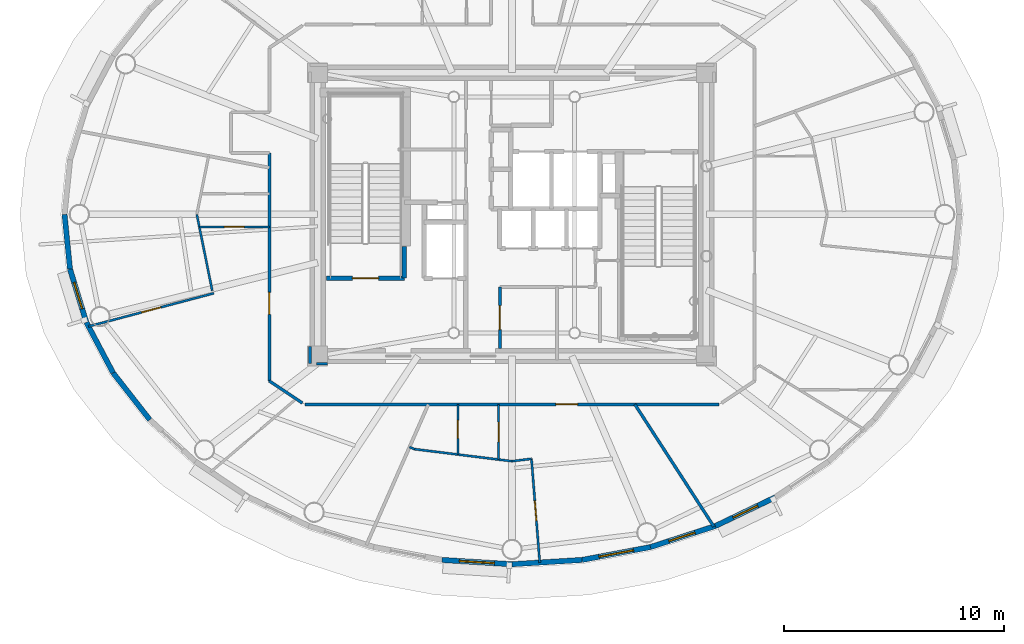
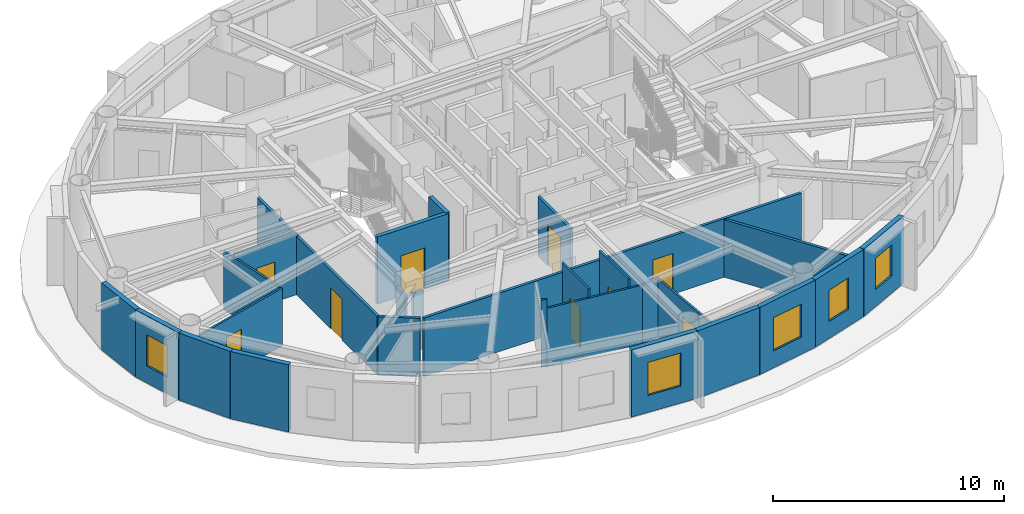
# One storey, part 7 of 17: 27 walls, 9 doors, 5 windows, 14 openings.
"""IFC4 building model written with IfcOpenShell, lengths in metres."""

import ifcopenshell
import ifcopenshell.guid

model = None  # the IFC model being written
_history = None  # IfcOwnerHistory: only IFC2X3 demands one
_inside = {}  # id of a spatial element -> (the spatial element, [elements in it])
_under = {}  # id of a project, library or spatial element -> (it, [spatial elements below it])
_declared = {}  # id of a project -> (the project, [libraries it declares])
_typed = {}  # id of a type object -> (the type object, [elements of that type])
_made_of = {}  # id of a material, layer set ... -> (it, [elements and type objects made of it])


def new_model(schema):
    """Start an empty IFC model of exactly this schema.

    Asked for "IFC4X3", IfcOpenShell would pick the latest addendum, in which some entities
    have other attributes; the version numbers below select the first issue.
    IFC2X3 requires an IfcOwnerHistory on every rooted entity: one is made here for all.
    """
    global model, _history
    if schema == "IFC4X3":
        model = ifcopenshell.file(schema_version=(4, 3, 0, 0))
    else:
        model = ifcopenshell.file(schema=schema)
    _inside.clear()
    _under.clear()
    _declared.clear()
    _typed.clear()
    _made_of.clear()
    _history = None
    if model.schema == "IFC2X3":
        org = make("IfcOrganization", Name="unknown")
        user = make(
            "IfcPersonAndOrganization",
            ThePerson=make("IfcPerson", FamilyName="unknown"),
            TheOrganization=org,
        )
        app = make(
            "IfcApplication",
            ApplicationDeveloper=org,
            Version="unknown",
            ApplicationFullName="unknown",
            ApplicationIdentifier="unknown",
        )
        _history = make(
            "IfcOwnerHistory",
            OwningUser=user,
            OwningApplication=app,
            ChangeAction="ADDED",
            CreationDate=0,
        )
    return model


def make(cls, **values):
    """One entity of the class cls with the attributes given. An attribute that is None is left unset."""
    return model.create_entity(
        cls, **{name: value for name, value in values.items() if value is not None}
    )


def rooted(cls, **values):
    """An entity with a GlobalId (a new one), such as an element, a storey or a relation."""
    return make(cls, GlobalId=ifcopenshell.guid.new(), OwnerHistory=_history, **values)


def si_unit(unit_type, name, prefix=None):
    """IfcSIUnit, for example si_unit("LENGTHUNIT", "METRE", prefix="MILLI")."""
    return make("IfcSIUnit", UnitType=unit_type, Prefix=prefix, Name=name)


def assignment(units):
    """IfcUnitAssignment: the units of a project."""
    return None if units is None else make("IfcUnitAssignment", Units=units)


def point(xyz):
    """IfcCartesianPoint."""
    return None if xyz is None else make("IfcCartesianPoint", Coordinates=xyz)


def direction(xyz):
    """IfcDirection."""
    return None if xyz is None else make("IfcDirection", DirectionRatios=xyz)


def frame(location, z_axis=None, x_axis=None):
    """IfcAxis2Placement3D, a coordinate frame: its origin and axes. An axis left out is left unset."""
    return make(
        "IfcAxis2Placement3D",
        Location=point(location),
        Axis=direction(z_axis),
        RefDirection=direction(x_axis),
    )


def frame_2d(location, x_axis=None):
    """IfcAxis2Placement2D, a coordinate frame in the plane: its origin and x axis."""
    return make(
        "IfcAxis2Placement2D", Location=point(location), RefDirection=direction(x_axis)
    )


def origin():
    """The frame at (0, 0, 0) with its axes left unset."""
    return frame((0.0, 0.0, 0.0))


def origin_2d():
    """The frame at (0, 0) in the plane with its x axis left unset."""
    return frame_2d((0.0, 0.0))


def place(relative_to, where):
    """IfcLocalPlacement: puts the frame where relative to a parent placement (None: the world)."""
    return make(
        "IfcLocalPlacement", PlacementRelTo=relative_to, RelativePlacement=where
    )


def context(
    kind, dimensions, precision=None, world=None, true_north=None, identifier=None
):
    """IfcGeometricRepresentationContext, for example the 3D "Model" context."""
    return make(
        "IfcGeometricRepresentationContext",
        ContextIdentifier=identifier,
        ContextType=kind,
        CoordinateSpaceDimension=dimensions,
        Precision=precision,
        WorldCoordinateSystem=world,
        TrueNorth=true_north,
    )


def subcontext(parent, identifier, kind, view, scale=None):
    """IfcGeometricRepresentationSubContext, for example "Body" below "Model"."""
    return make(
        "IfcGeometricRepresentationSubContext",
        ContextIdentifier=identifier,
        ContextType=kind,
        ParentContext=parent,
        TargetScale=scale,
        TargetView=view,
    )


def project(units=None, contexts=None):
    """IfcProject with its units and contexts."""
    return rooted(
        "IfcProject",
        Name="project",
        RepresentationContexts=contexts,
        UnitsInContext=assignment(units),
    )


def spatial(cls, under=None, at=None, **own):
    """A site, building, storey or space (cls), placed at a placement, below another one or the project."""
    s = rooted(cls, ObjectPlacement=at, **own)
    if under is not None:
        _under.setdefault(under.id(), (under, []))[1].append(s)
    return s


def profile(cls, at=None, kind="AREA", **sizes):
    """A parametric profile (cls). Its sizes go by their IFC names, for example OverallWidth=200.0."""
    return make(cls, ProfileType=kind, Position=at, **sizes)


def rectangle(**sizes):
    """IfcRectangleProfileDef."""
    return profile("IfcRectangleProfileDef", **sizes)


def extrude(swept, where, along, depth):
    """IfcExtrudedAreaSolid: the profile swept, set in the frame where, extruded along a direction by depth."""
    return make(
        "IfcExtrudedAreaSolid",
        SweptArea=swept,
        Position=where,
        ExtrudedDirection=direction(along),
        Depth=depth,
    )


def shape(context_of_items, identifier, shape_type, items):
    """IfcShapeRepresentation: the items that make up one representation, for example the "Body"."""
    return make(
        "IfcShapeRepresentation",
        ContextOfItems=context_of_items,
        RepresentationIdentifier=identifier,
        RepresentationType=shape_type,
        Items=items,
    )


def source(mapping_origin, context_of_items, identifier, shape_type, items):
    """IfcRepresentationMap: a shape defined once, which mapped items show again and again."""
    return make(
        "IfcRepresentationMap",
        MappingOrigin=mapping_origin,
        MappedRepresentation=shape(context_of_items, identifier, shape_type, items),
    )


def transform(
    local_origin,
    x_axis=None,
    y_axis=None,
    z_axis=None,
    scale=None,
    scale2=None,
    scale3=None,
    uniform=True,
):
    """IfcCartesianTransformationOperator3D, or its non-uniform kind. x_axis, y_axis, z_axis: its Axis1, 2, 3."""
    if uniform:
        return make(
            "IfcCartesianTransformationOperator3D",
            Axis1=direction(x_axis),
            Axis2=direction(y_axis),
            LocalOrigin=point(local_origin),
            Scale=scale,
            Axis3=direction(z_axis),
        )
    return make(
        "IfcCartesianTransformationOperator3DnonUniform",
        Axis1=direction(x_axis),
        Axis2=direction(y_axis),
        LocalOrigin=point(local_origin),
        Scale=scale,
        Axis3=direction(z_axis),
        Scale2=scale2,
        Scale3=scale3,
    )


def mapped(mapping_source, mapping_target):
    """IfcMappedItem: shows the shape of a source again, moved by a transform."""
    return make(
        "IfcMappedItem", MappingSource=mapping_source, MappingTarget=mapping_target
    )


def material(Name=None, Category=None):
    """IfcMaterial."""
    return make("IfcMaterial", Name=Name, Category=Category)


def layer(
    of_material, thickness, ventilated=None, Name=None, Category=None, Priority=None
):
    """IfcMaterialLayer: one layer of a wall or slab, of a material (None: an air gap)."""
    return make(
        "IfcMaterialLayer",
        Material=of_material,
        LayerThickness=thickness,
        IsVentilated=ventilated,
        Name=Name,
        Category=Category,
        Priority=Priority,
    )


def layer_set(layers, Name=None):
    """IfcMaterialLayerSet."""
    return make("IfcMaterialLayerSet", MaterialLayers=layers, LayerSetName=Name)


def made_of(thing, what):
    """Note that an element or type object is made of a material, layer set ...; save() writes the relation."""
    if what is not None:
        _made_of.setdefault(what.id(), (what, []))[1].append(thing)
    return thing


def type_object(cls, material=None, **own):
    """A type object (cls), such as IfcWallType, which elements share."""
    return made_of(rooted(cls, **own), material)


def element(
    cls,
    number,
    at=None,
    inside=None,
    cuts=None,
    type_object=None,
    material=None,
    context=None,
    identifier="Body",
    shape_type=None,
    held_by="IfcProductDefinitionShape",
    body=None,
    shapes=None,
    **own,
):
    """One element of the class cls, such as IfcWall. Its Tag is "e" and its number.

    at: its placement. inside: the storey or other place that contains it. cuts: it is an
    opening in that element (IfcRelVoidsElement). A single representation is given by context,
    identifier, shape_type and body (its items); several are given by shapes. held_by: the class
    of the entity that holds the representations. save() writes the other relations.
    """
    e = rooted(cls, Tag="e%d" % number, ObjectPlacement=at, **own)
    if body is not None:
        shapes = [shape(context, identifier, shape_type, body)]
    if shapes is not None:
        e.Representation = make(held_by, Representations=shapes)
    if inside is not None:
        _inside.setdefault(inside.id(), (inside, []))[1].append(e)
    if cuts is not None:
        rooted(
            "IfcRelVoidsElement", RelatingBuildingElement=cuts, RelatedOpeningElement=e
        )
    if type_object is not None:
        _typed.setdefault(type_object.id(), (type_object, []))[1].append(e)
    return made_of(e, material)


def fill(opening, filler):
    """IfcRelFillsElement: the door or window that sits in an opening."""
    return rooted(
        "IfcRelFillsElement",
        RelatingOpeningElement=opening,
        RelatedBuildingElement=filler,
    )


def aggregate(whole, parts):
    """IfcRelAggregates: a whole, such as a stair, and the parts it consists of."""
    return rooted("IfcRelAggregates", RelatingObject=whole, RelatedObjects=parts)


def save(model, path):
    """Write the relations noted so far, then the file.

    IfcRelAggregates (storeys below a building ...), IfcRelContainedInSpatialStructure (elements
    in a storey), IfcRelDefinesByType, IfcRelAssociatesMaterial and IfcRelDeclares: one each for
    every whole, place, type object, material and project.
    """
    for whole, parts in _under.values():
        aggregate(whole, parts)
    for where, things in _inside.values():
        rooted(
            "IfcRelContainedInSpatialStructure",
            RelatedElements=things,
            RelatingStructure=where,
        )
    for kind, things in _typed.values():
        rooted("IfcRelDefinesByType", RelatedObjects=things, RelatingType=kind)
    for what, things in _made_of.values():
        rooted("IfcRelAssociatesMaterial", RelatedObjects=things, RelatingMaterial=what)
    for by, libraries in _declared.values():
        rooted("IfcRelDeclares", RelatingContext=by, RelatedDefinitions=libraries)
    model.write(path)


model = new_model("IFC4")

# Units and contexts
model_context = context("Model", 3, precision=1e-05, world=origin(), true_north=direction((0.0, 1.0)))
body_context = subcontext(model_context, "Body", "Model", "MODEL_VIEW")
ifc_project = project(units=[si_unit("LENGTHUNIT", "METRE"), si_unit("AREAUNIT", "SQUARE_METRE"), si_unit("VOLUMEUNIT", "CUBIC_METRE"), si_unit("PLANEANGLEUNIT", "RADIAN"), si_unit("MASSUNIT", "GRAM", prefix="KILO")], contexts=[model_context])

# Site, building, storey
site_placement = place(None, origin())
site = spatial("IfcSite", under=ifc_project, at=site_placement, CompositionType="ELEMENT")
building_placement = place(site_placement, origin())
building = spatial("IfcBuilding", under=site, at=building_placement, Name="Linh Dai School and Residence Tower", CompositionType="ELEMENT")
storey_placement = place(building_placement, frame((0.0, 0.0, 324.0)))
storey = spatial("IfcBuildingStorey", under=building, at=storey_placement, Name="L80", CompositionType="ELEMENT", Elevation=324.0)

# Wall
ifc_material_1 = material(Name="Precast Concrete B45 (C35/45)", Category="concrete")
ifc_layer_1 = layer(ifc_material_1, 0.239990234375)
ifc_layer_set_1 = layer_set([ifc_layer_1], Name="Precast Concrete B45 (C35/45)")
wall_type_1 = type_object("IfcWallType", Name="EW-TC-240", PredefinedType="SOLIDWALL", material=ifc_layer_set_1)
wall_1_placement = place(storey_placement, frame((15.875, 24.51318359375, 0.0), z_axis=(0.0, 0.0, 1.0), x_axis=(-0.100025963401, 0.994984827344, 0.0)))
element("IfcWall", 1, at=wall_1_placement, inside=storey, type_object=wall_type_1, Name="L80 Terracotta Exterior Wall 21", PredefinedType="SOLIDWALL", context=body_context, shape_type="SweptSolid", body=[
    extrude(rectangle(XDim=2.499267578125, YDim=0.239990234375, at=frame_2d((1.24951171875, 0.0))), origin(), (0.0, 0.0, 1.0), 3.550048828125),
])

# Wall, opening, window
wall_2_placement = place(storey_placement, frame((16.618896484375, 22.086669921875, 0.0), z_axis=(0.0, 0.0, 1.0), x_axis=(-0.293105547213, 0.956080089842, 0.0)))
wall_2 = element("IfcWall", 2, at=wall_2_placement, inside=storey, type_object=wall_type_1, Name="L80 Terracotta Exterior Wall 22", PredefinedType="SOLIDWALL", context=body_context, shape_type="SweptSolid", body=[
    extrude(rectangle(XDim=2.5380859375, YDim=0.239990234375, at=frame_2d((1.26904296875, 0.0))), origin(), (0.0, 0.0, 1.0), 3.550048828125),
])
opening_1_placement = place(wall_2_placement, frame((0.64404296875, 0.0, 0.89990234375)))
opening_1 = element("IfcOpeningElement", 3, at=opening_1_placement, cuts=wall_2, Name="Opening W3", PredefinedType="OPENING", context=body_context, shape_type="SweptSolid", body=[
    extrude(rectangle(XDim=1.25, YDim=1.64990234375, at=origin_2d()), frame((0.625, 0.1298828125, 0.824951171875), z_axis=(0.0, -1.0, 0.0), x_axis=(1.0, 0.0, 0.0)), (0.0, 0.0, 1.0), 0.260009765625),
])
ifc_material_2 = material(Name="Double Low-E Insulated Glazing", Category="glass")
window_type_1 = type_object("IfcWindowType", Name="WN-RES-1250x1650", PartitioningType="SINGLE_PANEL", PredefinedType="WINDOW", material=ifc_material_2)
shared_shape_1 = source(origin(), body_context, "Body", "SweptSolid", [
    extrude(rectangle(XDim=1.25, YDim=1.64990234375, at=origin_2d()), frame((0.625, 0.030029296875, 0.824951171875), z_axis=(0.0, -1.0, 0.0), x_axis=(1.0, 0.0, 0.0)), (0.0, 0.0, 1.0), 0.06005859375),
])
window_1_placement = place(opening_1_placement, origin())
window_1 = element("IfcWindow", 4, at=window_1_placement, inside=storey, type_object=window_type_1, Name="L80 Dwelling Window U8002-BD1", OverallHeight=1.64990234375, OverallWidth=1.25, PartitioningType="SINGLE_PANEL", PredefinedType="WINDOW", context=body_context, shape_type="MappedRepresentation", body=[
    mapped(shared_shape_1, transform((0.0, 0.0, 0.0), x_axis=(1.0, 0.0, 0.0), y_axis=(0.0, 1.0, 0.0), z_axis=(0.0, 0.0, 1.0), scale=1.0)),
])
fill(opening_1, window_1)

# Walls
wall_3_placement = place(storey_placement, frame((17.839111328125, 19.779296875, 0.0), z_axis=(0.0, 0.0, 1.0), x_axis=(-0.467487999989, 0.883999417345, 0.0)))
element("IfcWall", 5, at=wall_3_placement, inside=storey, type_object=wall_type_1, Name="L80 Terracotta Exterior Wall 23", PredefinedType="SOLIDWALL", context=body_context, shape_type="SweptSolid", body=[
    extrude(rectangle(XDim=2.610107421875, YDim=0.239990234375, at=frame_2d((1.30517578125, 0.0))), origin(), (0.0, 0.0, 1.0), 3.550048828125),
])
wall_4_placement = place(storey_placement, frame((19.5068359375, 17.648193359375, 0.0), z_axis=(0.0, 0.0, 1.0), x_axis=(-0.616286367698, 0.78752213492, 0.0)))
element("IfcWall", 6, at=wall_4_placement, inside=storey, type_object=wall_type_1, Name="L80 Terracotta Exterior Wall 24", PredefinedType="SOLIDWALL", context=body_context, shape_type="SweptSolid", body=[
    extrude(rectangle(XDim=2.7060546875, YDim=0.239990234375, at=frame_2d((1.35302734375, 0.0))), origin(), (0.0, 0.0, 1.0), 3.550048828125),
])

# Wall, opening, window
wall_5_placement = place(storey_placement, frame((36.0, 11.070068359375, 0.0), z_axis=(0.0, 0.0, 1.0), x_axis=(-0.998109204399, 0.061465568355, 0.0)))
wall_5 = element("IfcWall", 7, at=wall_5_placement, inside=storey, type_object=wall_type_1, Name="L80 Terracotta Exterior Wall 30", PredefinedType="SOLIDWALL", context=body_context, shape_type="SweptSolid", body=[
    extrude(rectangle(XDim=3.197509765625, YDim=0.239990234375, at=frame_2d((1.5986328125, 0.0))), origin(), (0.0, 0.0, 1.0), 3.550048828125),
])
opening_2_placement = place(wall_5_placement, frame((0.798828125, 0.0, 0.89990234375)))
opening_2 = element("IfcOpeningElement", 8, at=opening_2_placement, cuts=wall_5, Name="Opening W2", PredefinedType="OPENING", context=body_context, shape_type="SweptSolid", body=[
    extrude(rectangle(XDim=1.60009765625, YDim=1.75, at=origin_2d()), frame((0.800048828125, 0.1298828125, 0.875), z_axis=(0.0, -1.0, 0.0), x_axis=(1.0, 0.0, 0.0)), (0.0, 0.0, 1.0), 0.260009765625),
])
window_type_2 = type_object("IfcWindowType", Name="WN-RES-1600x1750", PartitioningType="DOUBLE_PANEL_VERTICAL", PredefinedType="WINDOW", material=ifc_material_2)
shared_shape_2 = source(origin(), body_context, "Body", "SweptSolid", [
    extrude(rectangle(XDim=1.60009765625, YDim=1.75, at=origin_2d()), frame((0.800048828125, 0.030029296875, 0.875), z_axis=(0.0, -1.0, 0.0), x_axis=(1.0, 0.0, 0.0)), (0.0, 0.0, 1.0), 0.06005859375),
])
window_2_placement = place(opening_2_placement, origin())
window_2 = element("IfcWindow", 9, at=window_2_placement, inside=storey, type_object=window_type_2, Name="L80 Exterior Window 30.1", OverallHeight=1.75, OverallWidth=1.60009765625, PartitioningType="DOUBLE_PANEL_VERTICAL", PredefinedType="WINDOW", context=body_context, shape_type="MappedRepresentation", body=[
    mapped(shared_shape_2, transform((0.0, 0.0, 0.0), x_axis=(1.0, 0.0, 0.0), y_axis=(0.0, 1.0, 0.0), z_axis=(0.0, 0.0, 1.0), scale=1.0)),
])
fill(opening_2, window_2)

# Wall
wall_6_placement = place(storey_placement, frame((39.19140625, 11.2666015625, 0.0), z_axis=(0.0, 0.0, 1.0), x_axis=(-0.998109204399, -0.061465568355, 0.0)))
element("IfcWall", 10, at=wall_6_placement, inside=storey, type_object=wall_type_1, Name="L80 Terracotta Exterior Wall 31", PredefinedType="SOLIDWALL", context=body_context, shape_type="SweptSolid", body=[
    extrude(rectangle(XDim=3.197509765625, YDim=0.239990234375, at=frame_2d((1.5986328125, 0.0))), origin(), (0.0, 0.0, 1.0), 3.550048828125),
])

# Wall, opening, window
wall_7_placement = place(storey_placement, frame((42.303955078125, 11.85205078125, 0.0), z_axis=(0.0, 0.0, 1.0), x_axis=(-0.98276643264, -0.184851667226, 0.0)))
wall_7 = element("IfcWall", 11, at=wall_7_placement, inside=storey, type_object=wall_type_1, Name="L80 Terracotta Exterior Wall 32", PredefinedType="SOLIDWALL", context=body_context, shape_type="SweptSolid", body=[
    extrude(rectangle(XDim=3.167236328125, YDim=0.239990234375, at=frame_2d((1.58349609375, 0.0))), origin(), (0.0, 0.0, 1.0), 3.550048828125),
])
opening_3_placement = place(wall_7_placement, frame((0.78369140625, 0.0, 0.89990234375)))
opening_3 = element("IfcOpeningElement", 12, at=opening_3_placement, cuts=wall_7, Name="Opening W2", PredefinedType="OPENING", context=body_context, shape_type="SweptSolid", body=[
    extrude(rectangle(XDim=1.60009765625, YDim=1.75, at=origin_2d()), frame((0.800048828125, 0.1298828125, 0.875), z_axis=(0.0, -1.0, 0.0), x_axis=(1.0, 0.0, 0.0)), (0.0, 0.0, 1.0), 0.260009765625),
])
window_3_placement = place(opening_3_placement, origin())
window_3 = element("IfcWindow", 13, at=window_3_placement, inside=storey, type_object=window_type_2, Name="L80 Exterior Window 32.1", OverallHeight=1.75, OverallWidth=1.60009765625, PartitioningType="DOUBLE_PANEL_VERTICAL", PredefinedType="WINDOW", context=body_context, shape_type="MappedRepresentation", body=[
    mapped(shared_shape_2, transform((0.0, 0.0, 0.0), x_axis=(1.0, 0.0, 0.0), y_axis=(0.0, 1.0, 0.0), z_axis=(0.0, 0.0, 1.0), scale=1.0)),
])
fill(opening_3, window_3)

wall_8_placement = place(storey_placement, frame((45.260498046875, 12.81103515625, 0.0), z_axis=(0.0, 0.0, 1.0), x_axis=(-0.951212850731, -0.308535431682, 0.0)))
wall_8 = element("IfcWall", 14, at=wall_8_placement, inside=storey, type_object=wall_type_1, Name="L80 Terracotta Exterior Wall 33", PredefinedType="SOLIDWALL", context=body_context, shape_type="SweptSolid", body=[
    extrude(rectangle(XDim=3.108154296875, YDim=0.239990234375, at=frame_2d((1.55419921875, 0.0))), origin(), (0.0, 0.0, 1.0), 3.550048828125),
])
opening_4_placement = place(wall_8_placement, frame((0.979248046875, 0.0, 0.89990234375)))
opening_4 = element("IfcOpeningElement", 15, at=opening_4_placement, cuts=wall_8, Name="Opening W3", PredefinedType="OPENING", context=body_context, shape_type="SweptSolid", body=[
    extrude(rectangle(XDim=1.25, YDim=1.64990234375, at=origin_2d()), frame((0.625, 0.1298828125, 0.824951171875), z_axis=(0.0, -1.0, 0.0), x_axis=(1.0, 0.0, 0.0)), (0.0, 0.0, 1.0), 0.260009765625),
])
window_4_placement = place(opening_4_placement, origin())
window_4 = element("IfcWindow", 16, at=window_4_placement, inside=storey, type_object=window_type_1, Name="L80 Exterior Window 33.1", OverallHeight=1.64990234375, OverallWidth=1.25, PartitioningType="SINGLE_PANEL", PredefinedType="WINDOW", context=body_context, shape_type="MappedRepresentation", body=[
    mapped(shared_shape_1, transform((0.0, 0.0, 0.0), x_axis=(1.0, 0.0, 0.0), y_axis=(0.0, 1.0, 0.0), z_axis=(0.0, 0.0, 1.0), scale=1.0)),
])
fill(opening_4, window_4)

wall_9_placement = place(storey_placement, frame((47.98779296875, 14.119873046875, 0.0), z_axis=(0.0, 0.0, 1.0), x_axis=(-0.901557057889, -0.432660226241, 0.0)))
wall_9 = element("IfcWall", 17, at=wall_9_placement, inside=storey, type_object=wall_type_1, Name="L80 Terracotta Exterior Wall 34", PredefinedType="SOLIDWALL", context=body_context, shape_type="SweptSolid", body=[
    extrude(rectangle(XDim=3.025146484375, YDim=0.239990234375, at=frame_2d((1.5126953125, 0.0))), origin(), (0.0, 0.0, 1.0), 3.550048828125),
])
opening_5_placement = place(wall_9_placement, frame((0.8876953125, 0.0, 0.89990234375)))
opening_5 = element("IfcOpeningElement", 18, at=opening_5_placement, cuts=wall_9, Name="Opening W3", PredefinedType="OPENING", context=body_context, shape_type="SweptSolid", body=[
    extrude(rectangle(XDim=1.25, YDim=1.64990234375, at=origin_2d()), frame((0.625, 0.1298828125, 0.824951171875), z_axis=(0.0, -1.0, 0.0), x_axis=(1.0, 0.0, 0.0)), (0.0, 0.0, 1.0), 0.260009765625),
])
window_5_placement = place(opening_5_placement, origin())
window_5 = element("IfcWindow", 19, at=window_5_placement, inside=storey, type_object=window_type_1, Name="L80 Exterior Window 34.1", OverallHeight=1.64990234375, OverallWidth=1.25, PartitioningType="SINGLE_PANEL", PredefinedType="WINDOW", context=body_context, shape_type="MappedRepresentation", body=[
    mapped(shared_shape_1, transform((0.0, 0.0, 0.0), x_axis=(1.0, 0.0, 0.0), y_axis=(0.0, 1.0, 0.0), z_axis=(0.0, 0.0, 1.0), scale=1.0)),
])
fill(opening_5, window_5)

# Wall, opening, door
ifc_material_3 = material(Name="Autoclaved Aerated Concrete Blockwork", Category="masonry")
ifc_layer_2 = layer(ifc_material_3, 0.135009765625)
ifc_layer_set_2 = layer_set([ifc_layer_2], Name="Autoclaved Aerated Concrete Blockwork")
wall_type_2 = type_object("IfcWallType", Name="IW-CORR-135-EI90", PredefinedType="PARTITIONING", material=ifc_layer_set_2)
wall_10_placement = place(storey_placement, frame((24.949951171875, 19.41748046875, 0.0), z_axis=(0.0, 0.0, 1.0), x_axis=(0.0, 1.0, 0.0)))
wall_10 = element("IfcWall", 20, at=wall_10_placement, inside=storey, type_object=wall_type_2, Name="L80 Interior Partition Wall 012", PredefinedType="PARTITIONING", context=body_context, shape_type="SweptSolid", body=[
    extrude(rectangle(XDim=10.382568359375, YDim=0.135009765625, at=frame_2d((5.19140625, 0.0))), origin(), (0.0, 0.0, 1.0), 3.0849609375),
])
opening_6_placement = place(wall_10_placement, frame((3.02685546875, 0.0, 0.0)))
opening_6 = element("IfcOpeningElement", 21, at=opening_6_placement, cuts=wall_10, Name="Opening D03", PredefinedType="OPENING", context=body_context, shape_type="SweptSolid", body=[
    extrude(rectangle(XDim=1.0, YDim=2.14990234375, at=origin_2d()), frame((0.5, 0.07763671875, 1.074951171875), z_axis=(0.0, -1.0, 0.0), x_axis=(1.0, 0.0, 0.0)), (0.0, 0.0, 1.0), 0.155029296875),
])
ifc_material_4 = material(Name="Fire-Rated Solid Timber Entrance Door", Category="wood")
door_type_1 = type_object("IfcDoorType", Name="DR-FLAT-1000x2150-FD60S", OperationType="NOTDEFINED", PredefinedType="DOOR", material=ifc_material_4)
shared_shape_3 = source(origin(), body_context, "Body", "SweptSolid", [
    extrude(rectangle(XDim=1.0, YDim=2.14990234375, at=origin_2d()), frame((0.5, 0.02490234375, 1.074951171875), z_axis=(0.0, -1.0, 0.0), x_axis=(1.0, 0.0, 0.0)), (0.0, 0.0, 1.0), 0.050048828125),
])
door_1_placement = place(opening_6_placement, origin())
door_1 = element("IfcDoor", 22, at=door_1_placement, inside=storey, type_object=door_type_1, Name="L80 U8002 Apartment Entrance Door", OperationType="SINGLE_SWING_RIGHT", OverallHeight=2.14990234375, OverallWidth=1.0, PredefinedType="DOOR", context=body_context, shape_type="MappedRepresentation", body=[
    mapped(shared_shape_3, transform((0.0, 0.0, 0.0), x_axis=(1.0, 0.0, 0.0), y_axis=(0.0, 1.0, 0.0), z_axis=(0.0, 0.0, 1.0), scale=1.0)),
])
fill(opening_6, door_1)

# Wall
wall_11_placement = place(storey_placement, frame((24.949951171875, 19.41748046875, 0.0), z_axis=(0.0, 0.0, 1.0), x_axis=(0.831200808341, -0.55597231605, 0.0)))
element("IfcWall", 23, at=wall_11_placement, inside=storey, type_object=wall_type_2, Name="L80 Interior Partition Wall 013", PredefinedType="PARTITIONING", context=body_context, shape_type="SweptSolid", body=[
    extrude(rectangle(XDim=1.81494140625, YDim=0.135009765625, at=frame_2d((0.907470703125, 0.0))), origin(), (0.0, 0.0, 1.0), 3.0849609375),
])

# Wall, opening, door
wall_12_placement = place(storey_placement, frame((26.580078125, 18.35009765625, 0.0), z_axis=(0.0, 0.0, 1.0), x_axis=(1.0, 0.0, 0.0)))
wall_12 = element("IfcWall", 24, at=wall_12_placement, inside=storey, type_object=wall_type_2, Name="L80 Interior Partition Wall 016", PredefinedType="PARTITIONING", context=body_context, shape_type="SweptSolid", body=[
    extrude(rectangle(XDim=18.83984375, YDim=0.135009765625, at=frame_2d((9.419921875, 0.0))), origin(), (0.0, 0.0, 1.0), 3.0849609375),
])
opening_7_placement = place(wall_12_placement, frame((11.412109375, 0.0, 0.0)))
opening_7 = element("IfcOpeningElement", 25, at=opening_7_placement, cuts=wall_12, Name="Opening D03", PredefinedType="OPENING", context=body_context, shape_type="SweptSolid", body=[
    extrude(rectangle(XDim=1.0, YDim=2.14990234375, at=origin_2d()), frame((0.5, 0.07763671875, 1.074951171875), z_axis=(0.0, -1.0, 0.0), x_axis=(1.0, 0.0, 0.0)), (0.0, 0.0, 1.0), 0.155029296875),
])
door_2_placement = place(opening_7_placement, origin())
door_2 = element("IfcDoor", 26, at=door_2_placement, inside=storey, type_object=door_type_1, Name="L80 U8003 Apartment Entrance Door", OperationType="SINGLE_SWING_LEFT", OverallHeight=2.14990234375, OverallWidth=1.0, PredefinedType="DOOR", context=body_context, shape_type="MappedRepresentation", body=[
    mapped(shared_shape_3, transform((0.0, 0.0, 0.0), x_axis=(1.0, 0.0, 0.0), y_axis=(0.0, 1.0, 0.0), z_axis=(0.0, 0.0, 1.0), scale=1.0)),
])
fill(opening_7, door_2)

wall_13_placement = place(storey_placement, frame((35.449951171875, 20.89990234375, 0.0), z_axis=(0.0, 0.0, 1.0), x_axis=(0.0, 1.0, 0.0)))
wall_13 = element("IfcWall", 27, at=wall_13_placement, inside=storey, type_object=wall_type_2, Name="L80 Interior Partition Wall 046", PredefinedType="PARTITIONING", context=body_context, shape_type="SweptSolid", body=[
    extrude(rectangle(XDim=2.800048828125, YDim=0.135009765625, at=frame_2d((1.39990234375, 0.0))), origin(), (0.0, 0.0, 1.0), 3.135009765625),
])
opening_8_placement = place(wall_13_placement, frame((0.85009765625, 0.0, 0.0)))
opening_8 = element("IfcOpeningElement", 28, at=opening_8_placement, cuts=wall_13, Name="Opening D07", PredefinedType="OPENING", context=body_context, shape_type="SweptSolid", body=[
    extrude(rectangle(XDim=1.10009765625, YDim=2.14990234375, at=origin_2d()), frame((0.550048828125, 0.07763671875, 1.074951171875), z_axis=(0.0, -1.0, 0.0), x_axis=(1.0, 0.0, 0.0)), (0.0, 0.0, 1.0), 0.155029296875),
])
ifc_material_5 = material(Name="Fire-Rated Louvred Steel Plant Door", Category="steel")
door_type_2 = type_object("IfcDoorType", Name="DR-PLT-1100x2150-FD60S", OperationType="NOTDEFINED", PredefinedType="DOOR", material=ifc_material_5)
shared_shape_4 = source(origin(), body_context, "Body", "SweptSolid", [
    extrude(rectangle(XDim=1.10009765625, YDim=2.14990234375, at=origin_2d()), frame((0.550048828125, 0.02490234375, 1.074951171875), z_axis=(0.0, -1.0, 0.0), x_axis=(1.0, 0.0, 0.0)), (0.0, 0.0, 1.0), 0.050048828125),
])
door_3_placement = place(opening_8_placement, origin())
door_3 = element("IfcDoor", 29, at=door_3_placement, inside=storey, type_object=door_type_2, Name="L80 Floor Electrical Switchroom Door", OperationType="SINGLE_SWING_RIGHT", OverallHeight=2.14990234375, OverallWidth=1.10009765625, PredefinedType="DOOR", context=body_context, shape_type="MappedRepresentation", body=[
    mapped(shared_shape_4, transform((0.0, 0.0, 0.0), x_axis=(1.0, 0.0, 0.0), y_axis=(0.0, 1.0, 0.0), z_axis=(0.0, 0.0, 1.0), scale=1.0)),
])
fill(opening_8, door_3)

# Walls
wall_14_placement = place(storey_placement, frame((41.5927734375, 18.35009765625, 0.0), z_axis=(0.0, 0.0, 1.0), x_axis=(0.542950403652, -0.839764764189, 0.0)))
element("IfcWall", 30, at=wall_14_placement, inside=storey, type_object=wall_type_2, Name="L80 Interior Partition Wall 071", PredefinedType="PARTITIONING", context=body_context, shape_type="SweptSolid", body=[
    extrude(rectangle(XDim=6.62890625, YDim=0.135009765625, at=frame_2d((3.314453125, 0.0))), origin(), (0.0, 0.0, 1.0), 3.034912109375),
])
wall_15_placement = place(storey_placement, frame((26.800048828125, 20.989990234375, 0.0), z_axis=(0.0, 0.0, 1.0), x_axis=(0.0, -1.0, 0.0)))
element("IfcWall", 31, at=wall_15_placement, inside=storey, type_object=wall_type_2, Name="L80 Interior Partition Wall 089", PredefinedType="PARTITIONING", context=body_context, shape_type="SweptSolid", body=[
    extrude(rectangle(XDim=0.7900390625, YDim=0.135009765625, at=frame_2d((0.39501953125, 0.0))), origin(), (0.0, 0.0, 1.0), 3.0849609375),
])
wall_16_placement = place(storey_placement, frame((27.107421875, 20.199951171875, 0.0), z_axis=(0.0, 0.0, 1.0), x_axis=(1.0, 0.0, 0.0)))
element("IfcWall", 32, at=wall_16_placement, inside=storey, type_object=wall_type_2, Name="L80 Interior Partition Wall 090", PredefinedType="PARTITIONING", context=body_context, shape_type="SweptSolid", body=[
    extrude(rectangle(XDim=0.482666015625, YDim=0.135009765625, at=frame_2d((0.2412109375, 0.0))), origin(), (0.0, 0.0, 1.0), 3.0849609375),
])

# Wall, opening, door
ifc_material_6 = material(Name="Concrete B45 (C35/45)", Category="concrete")
ifc_layer_3 = layer(ifc_material_6, 0.199951171875)
ifc_layer_set_3 = layer_set([ifc_layer_3], Name="Concrete B45 (C35/45)")
wall_type_3 = type_object("IfcWallType", Name="IW-SHAFT-200-EI120", PredefinedType="PARTITIONING", material=ifc_layer_set_3)
wall_17_placement = place(storey_placement, frame((27.56005859375, 24.10009765625, 0.0), z_axis=(0.0, 0.0, 1.0), x_axis=(1.0, 0.0, 0.0)))
wall_17 = element("IfcWall", 33, at=wall_17_placement, inside=storey, type_object=wall_type_3, Name="L80 Interior Partition Wall 018", PredefinedType="PARTITIONING", context=body_context, shape_type="SweptSolid", body=[
    extrude(rectangle(XDim=3.5400390625, YDim=0.199951171875, at=frame_2d((1.77001953125, 0.0))), origin(), (0.0, 0.0, 1.0), 3.550048828125),
])
opening_9_placement = place(wall_17_placement, frame((1.169921875, 0.0, 0.0)))
opening_9 = element("IfcOpeningElement", 34, at=opening_9_placement, cuts=wall_17, Name="Opening D01", PredefinedType="OPENING", context=body_context, shape_type="SweptSolid", body=[
    extrude(rectangle(XDim=1.199951171875, YDim=2.14990234375, at=origin_2d()), frame((0.60009765625, 0.10986328125, 1.074951171875), z_axis=(0.0, -1.0, 0.0), x_axis=(1.0, 0.0, 0.0)), (0.0, 0.0, 1.0), 0.219970703125),
])
ifc_material_7 = material(Name="Fire-Rated Steel Door Leaf", Category="steel")
door_type_3 = type_object("IfcDoorType", Name="DR-STAIR-1200x2150-FD90S", OperationType="NOTDEFINED", PredefinedType="DOOR", material=ifc_material_7)
shared_shape_5 = source(origin(), body_context, "Body", "SweptSolid", [
    extrude(rectangle(XDim=1.199951171875, YDim=2.14990234375, at=origin_2d()), frame((0.60009765625, 0.02490234375, 1.074951171875), z_axis=(0.0, -1.0, 0.0), x_axis=(1.0, 0.0, 0.0)), (0.0, 0.0, 1.0), 0.050048828125),
])
door_4_placement = place(opening_9_placement, origin())
door_4 = element("IfcDoor", 35, at=door_4_placement, inside=storey, type_object=door_type_3, Name="L80 Core Smokeproof Exit Stair ST1 Door", OperationType="SINGLE_SWING_LEFT", OverallHeight=2.14990234375, OverallWidth=1.199951171875, PredefinedType="DOOR", context=body_context, shape_type="MappedRepresentation", body=[
    mapped(shared_shape_5, transform((0.0, 0.0, 0.0), x_axis=(1.0, 0.0, 0.0), y_axis=(0.0, 1.0, 0.0), z_axis=(0.0, 0.0, 1.0), scale=1.0)),
])
fill(opening_9, door_4)

# Wall
wall_18_placement = place(storey_placement, frame((31.10009765625, 24.10009765625, 0.0), z_axis=(0.0, 0.0, 1.0), x_axis=(0.0, 1.0, 0.0)))
element("IfcWall", 36, at=wall_18_placement, inside=storey, type_object=wall_type_3, Name="L80 Interior Partition Wall 023", PredefinedType="PARTITIONING", context=body_context, shape_type="SweptSolid", body=[
    extrude(rectangle(XDim=1.43994140625, YDim=0.199951171875, at=frame_2d((0.719970703125, 0.0))), origin(), (0.0, 0.0, 1.0), 3.550048828125),
])

# Wall, opening, door
ifc_material_8 = material(Name="Gypsum Plasterboard Acoustic Stud Partition", Category="masonry")
ifc_layer_4 = layer(ifc_material_8, 0.10009765625)
ifc_layer_set_4 = layer_set([ifc_layer_4], Name="Gypsum Plasterboard Acoustic Stud Partition")
wall_type_4 = type_object("IfcWallType", Name="IW-UNIT-100", PredefinedType="PARTITIONING", material=ifc_layer_set_4)
wall_19_placement = place(storey_placement, frame((16.71337890625, 21.897216796875, 0.0), z_axis=(0.0, 0.0, 1.0), x_axis=(0.966736166331, 0.25577565308, 0.0)))
wall_19 = element("IfcWall", 37, at=wall_19_placement, inside=storey, type_object=wall_type_4, Name="L80 Interior Partition Wall 002", PredefinedType="PARTITIONING", context=body_context, shape_type="SweptSolid", body=[
    extrude(rectangle(XDim=5.912353515625, YDim=0.10009765625, at=frame_2d((2.9560546875, 0.0))), origin(), (0.0, 0.0, 1.0), 3.034912109375),
])
opening_10_placement = place(wall_19_placement, frame((2.506103515625, 0.0, 0.0)))
opening_10 = element("IfcOpeningElement", 38, at=opening_10_placement, cuts=wall_19, Name="Opening D05", PredefinedType="OPENING", context=body_context, shape_type="SweptSolid", body=[
    extrude(rectangle(XDim=0.89990234375, YDim=2.10009765625, at=origin_2d()), frame((0.449951171875, 0.06005859375, 1.050048828125), z_axis=(0.0, -1.0, 0.0), x_axis=(1.0, 0.0, 0.0)), (0.0, 0.0, 1.0), 0.1201171875),
])
ifc_material_9 = material(Name="Engineered Timber Internal Door", Category="wood")
door_type_4 = type_object("IfcDoorType", Name="DR-INT-900x2100", OperationType="NOTDEFINED", PredefinedType="DOOR", material=ifc_material_9)
shared_shape_6 = source(origin(), body_context, "Body", "SweptSolid", [
    extrude(rectangle(XDim=0.89990234375, YDim=2.10009765625, at=origin_2d()), frame((0.449951171875, 0.02490234375, 1.050048828125), z_axis=(0.0, -1.0, 0.0), x_axis=(1.0, 0.0, 0.0)), (0.0, 0.0, 1.0), 0.050048828125),
])
door_5_placement = place(opening_10_placement, origin())
door_5 = element("IfcDoor", 39, at=door_5_placement, inside=storey, type_object=door_type_4, Name="L80 Apartment U8002 Principal Bedroom 1 Door", OperationType="SINGLE_SWING_LEFT", OverallHeight=2.10009765625, OverallWidth=0.89990234375, PredefinedType="DOOR", context=body_context, shape_type="MappedRepresentation", body=[
    mapped(shared_shape_6, transform((0.0, 0.0, 0.0), x_axis=(1.0, 0.0, 0.0), y_axis=(0.0, 1.0, 0.0), z_axis=(0.0, 0.0, 1.0), scale=1.0)),
])
fill(opening_10, door_5)

# Wall
wall_20_placement = place(storey_placement, frame((21.64990234375, 27.0, 0.0), z_axis=(0.0, 0.0, 1.0), x_axis=(0.198235788927, -0.980154361307, 0.0)))
element("IfcWall", 40, at=wall_20_placement, inside=storey, type_object=wall_type_4, Name="L80 Interior Partition Wall 005", PredefinedType="PARTITIONING", context=body_context, shape_type="SweptSolid", body=[
    extrude(rectangle(XDim=3.543212890625, YDim=0.10009765625, at=frame_2d((1.771484375, 0.0))), origin(), (0.0, 0.0, 1.0), 3.0849609375),
])

# Wall, opening, door
wall_21_placement = place(storey_placement, frame((21.76513671875, 26.430908203125, 0.0), z_axis=(0.0, 0.0, 1.0), x_axis=(1.0, 0.0, 0.0)))
wall_21 = element("IfcWall", 41, at=wall_21_placement, inside=storey, type_object=wall_type_4, Name="L80 Interior Partition Wall 006", PredefinedType="PARTITIONING", context=body_context, shape_type="SweptSolid", body=[
    extrude(rectangle(XDim=3.184814453125, YDim=0.10009765625, at=frame_2d((1.59228515625, 0.0))), origin(), (0.0, 0.0, 1.0), 3.235107421875),
])
opening_11_placement = place(wall_21_placement, frame((1.142578125, 0.0, 0.0)))
opening_11 = element("IfcOpeningElement", 42, at=opening_11_placement, cuts=wall_21, Name="Opening D05", PredefinedType="OPENING", context=body_context, shape_type="SweptSolid", body=[
    extrude(rectangle(XDim=0.89990234375, YDim=2.10009765625, at=origin_2d()), frame((0.449951171875, 0.06005859375, 1.050048828125), z_axis=(0.0, -1.0, 0.0), x_axis=(1.0, 0.0, 0.0)), (0.0, 0.0, 1.0), 0.1201171875),
])
door_6_placement = place(opening_11_placement, origin())
door_6 = element("IfcDoor", 43, at=door_6_placement, inside=storey, type_object=door_type_4, Name="L80 Apartment U8002 Kitchen Door", OperationType="SINGLE_SWING_LEFT", OverallHeight=2.10009765625, OverallWidth=0.89990234375, PredefinedType="DOOR", context=body_context, shape_type="MappedRepresentation", body=[
    mapped(shared_shape_6, transform((0.0, 0.0, 0.0), x_axis=(1.0, 0.0, 0.0), y_axis=(0.0, 1.0, 0.0), z_axis=(0.0, 0.0, 1.0), scale=1.0)),
])
fill(opening_11, door_6)

# Walls
wall_22_placement = place(storey_placement, frame((31.333251953125, 16.404296875, 0.0), z_axis=(0.0, 0.0, 1.0), x_axis=(0.928745570722, -0.370717769826, 0.0)))
element("IfcWall", 44, at=wall_22_placement, inside=storey, type_object=wall_type_4, Name="L80 Interior Partition Wall 025", PredefinedType="PARTITIONING", context=body_context, shape_type="SweptSolid", body=[
    extrude(rectangle(XDim=0.250244140625, YDim=0.10009765625, at=frame_2d((0.125, 0.0))), origin(), (0.0, 0.0, 1.0), 3.550048828125),
])
wall_23_placement = place(storey_placement, frame((31.565673828125, 16.3115234375, 0.0), z_axis=(0.0, 0.0, 1.0), x_axis=(0.992394278216, -0.123099945429, 0.0)))
element("IfcWall", 45, at=wall_23_placement, inside=storey, type_object=wall_type_4, Name="L80 Interior Partition Wall 026", PredefinedType="PARTITIONING", context=body_context, shape_type="SweptSolid", body=[
    extrude(rectangle(XDim=4.46826171875, YDim=0.10009765625, at=frame_2d((2.234130859375, 0.0))), origin(), (0.0, 0.0, 1.0), 3.0849609375),
])

# Wall, opening, door
wall_24_placement = place(storey_placement, frame((33.5390625, 16.066650390625, 0.0), z_axis=(0.0, 0.0, 1.0), x_axis=(0.0, 1.0, 0.0)))
wall_24 = element("IfcWall", 46, at=wall_24_placement, inside=storey, type_object=wall_type_4, Name="L80 Interior Partition Wall 032", PredefinedType="PARTITIONING", context=body_context, shape_type="SweptSolid", body=[
    extrude(rectangle(XDim=2.283447265625, YDim=0.10009765625, at=frame_2d((1.1416015625, 0.0))), origin(), (0.0, 0.0, 1.0), 3.550048828125),
])
opening_12_placement = place(wall_24_placement, frame((0.731689453125, 0.0, 0.0)))
opening_12 = element("IfcOpeningElement", 47, at=opening_12_placement, cuts=wall_24, Name="Opening D06", PredefinedType="OPENING", context=body_context, shape_type="SweptSolid", body=[
    extrude(rectangle(XDim=0.820068359375, YDim=2.10009765625, at=origin_2d()), frame((0.41015625, 0.06005859375, 1.050048828125), z_axis=(0.0, -1.0, 0.0), x_axis=(1.0, 0.0, 0.0)), (0.0, 0.0, 1.0), 0.1201171875),
])
ifc_material_10 = material(Name="Moisture-Resistant Timber Bathroom Door", Category="wood")
door_type_5 = type_object("IfcDoorType", Name="DR-WET-820x2100", OperationType="NOTDEFINED", PredefinedType="DOOR", material=ifc_material_10)
shared_shape_7 = source(origin(), body_context, "Body", "SweptSolid", [
    extrude(rectangle(XDim=0.820068359375, YDim=2.10009765625, at=origin_2d()), frame((0.41015625, 0.02490234375, 1.050048828125), z_axis=(0.0, -1.0, 0.0), x_axis=(1.0, 0.0, 0.0)), (0.0, 0.0, 1.0), 0.050048828125),
])
door_7_placement = place(opening_12_placement, origin())
door_7 = element("IfcDoor", 48, at=door_7_placement, inside=storey, type_object=door_type_5, Name="L80 Apartment U8003 Bathroom 1 Door", OperationType="SINGLE_SWING_RIGHT", OverallHeight=2.10009765625, OverallWidth=0.820068359375, PredefinedType="DOOR", context=body_context, shape_type="MappedRepresentation", body=[
    mapped(shared_shape_7, transform((0.0, 0.0, 0.0), x_axis=(1.0, 0.0, 0.0), y_axis=(0.0, 1.0, 0.0), z_axis=(0.0, 0.0, 1.0), scale=1.0)),
])
fill(opening_12, door_7)

wall_25_placement = place(storey_placement, frame((35.391845703125, 15.8369140625, 0.0), z_axis=(0.0, 0.0, 1.0), x_axis=(0.0, 1.0, 0.0)))
wall_25 = element("IfcWall", 49, at=wall_25_placement, inside=storey, type_object=wall_type_4, Name="L80 Interior Partition Wall 044", PredefinedType="PARTITIONING", context=body_context, shape_type="SweptSolid", body=[
    extrude(rectangle(XDim=2.51318359375, YDim=0.10009765625, at=frame_2d((1.256591796875, 0.0))), origin(), (0.0, 0.0, 1.0), 3.550048828125),
])
opening_13_placement = place(wall_25_placement, frame((0.806396484375, 0.0, 0.0)))
opening_13 = element("IfcOpeningElement", 50, at=opening_13_placement, cuts=wall_25, Name="Opening D05", PredefinedType="OPENING", context=body_context, shape_type="SweptSolid", body=[
    extrude(rectangle(XDim=0.89990234375, YDim=2.10009765625, at=origin_2d()), frame((0.449951171875, 0.06005859375, 1.050048828125), z_axis=(0.0, -1.0, 0.0), x_axis=(1.0, 0.0, 0.0)), (0.0, 0.0, 1.0), 0.1201171875),
])
door_8_placement = place(opening_13_placement, origin())
door_8 = element("IfcDoor", 51, at=door_8_placement, inside=storey, type_object=door_type_4, Name="L80 Apartment U8003 Kitchen Door", OperationType="SINGLE_SWING_LEFT", OverallHeight=2.10009765625, OverallWidth=0.89990234375, PredefinedType="DOOR", context=body_context, shape_type="MappedRepresentation", body=[
    mapped(shared_shape_6, transform((0.0, 0.0, 0.0), x_axis=(1.0, 0.0, 0.0), y_axis=(0.0, 1.0, 0.0), z_axis=(0.0, 0.0, 1.0), scale=1.0)),
])
fill(opening_13, door_8)

# Wall
wall_26_placement = place(storey_placement, frame((36.0, 15.761474609375, 0.0), z_axis=(0.0, 0.0, 1.0), x_axis=(0.99238258148, 0.123194204307, 0.0)))
element("IfcWall", 52, at=wall_26_placement, inside=storey, type_object=wall_type_4, Name="L80 Interior Partition Wall 054", PredefinedType="PARTITIONING", context=body_context, shape_type="SweptSolid", body=[
    extrude(rectangle(XDim=0.893798828125, YDim=0.10009765625, at=frame_2d((0.44677734375, 0.0))), origin(), (0.0, 0.0, 1.0), 3.0849609375),
])

# Wall, opening, door
wall_27_placement = place(storey_placement, frame((36.886962890625, 15.87158203125, 0.0), z_axis=(0.0, 0.0, 1.0), x_axis=(0.079462935414, -0.996837821261, 0.0)))
wall_27 = element("IfcWall", 53, at=wall_27_placement, inside=storey, type_object=wall_type_4, Name="L80 Interior Partition Wall 056", PredefinedType="PARTITIONING", context=body_context, shape_type="SweptSolid", body=[
    extrude(rectangle(XDim=4.74365234375, YDim=0.10009765625, at=frame_2d((2.371826171875, 0.0))), origin(), (0.0, 0.0, 1.0), 3.034912109375),
])
opening_14_placement = place(wall_27_placement, frame((1.921875, 0.0, 0.0)))
opening_14 = element("IfcOpeningElement", 54, at=opening_14_placement, cuts=wall_27, Name="Opening D05", PredefinedType="OPENING", context=body_context, shape_type="SweptSolid", body=[
    extrude(rectangle(XDim=0.89990234375, YDim=2.10009765625, at=origin_2d()), frame((0.449951171875, 0.06005859375, 1.050048828125), z_axis=(0.0, -1.0, 0.0), x_axis=(1.0, 0.0, 0.0)), (0.0, 0.0, 1.0), 0.1201171875),
])
door_9_placement = place(opening_14_placement, origin())
door_9 = element("IfcDoor", 55, at=door_9_placement, inside=storey, type_object=door_type_4, Name="L80 Apartment U8003 Bedroom 1 Door", OperationType="SINGLE_SWING_RIGHT", OverallHeight=2.10009765625, OverallWidth=0.89990234375, PredefinedType="DOOR", context=body_context, shape_type="MappedRepresentation", body=[
    mapped(shared_shape_6, transform((0.0, 0.0, 0.0), x_axis=(1.0, 0.0, 0.0), y_axis=(0.0, 1.0, 0.0), z_axis=(0.0, 0.0, 1.0), scale=1.0)),
])
fill(opening_14, door_9)

save(model, "model.ifc")
